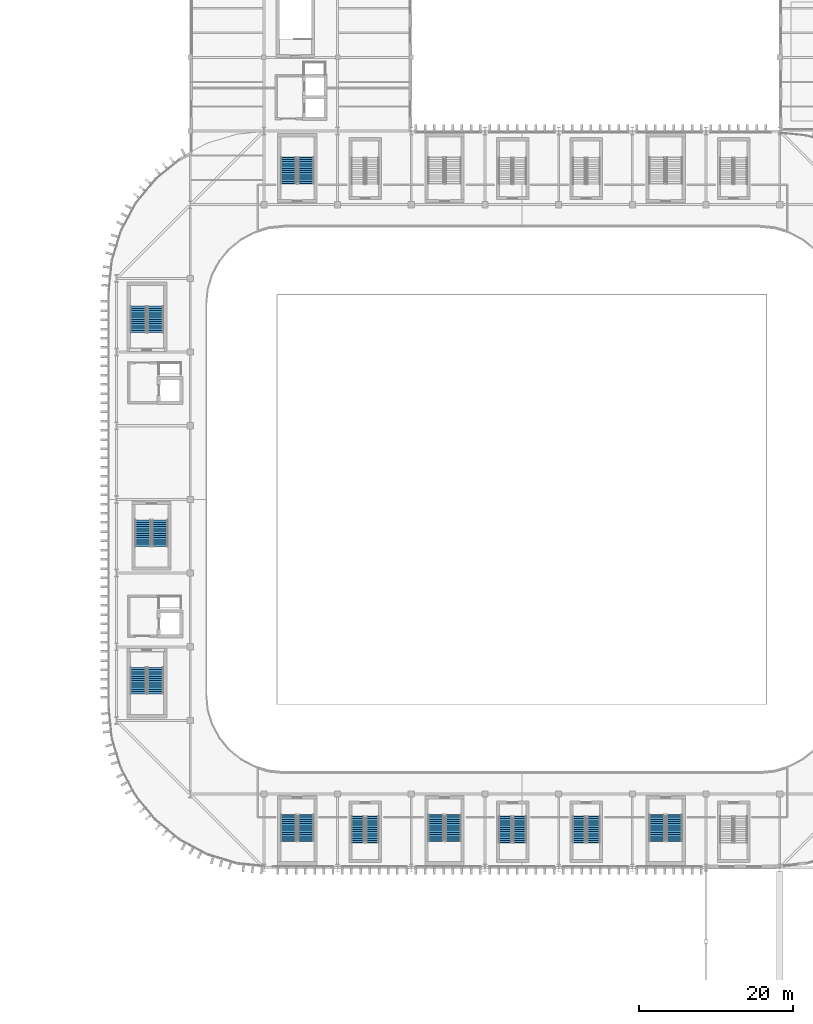
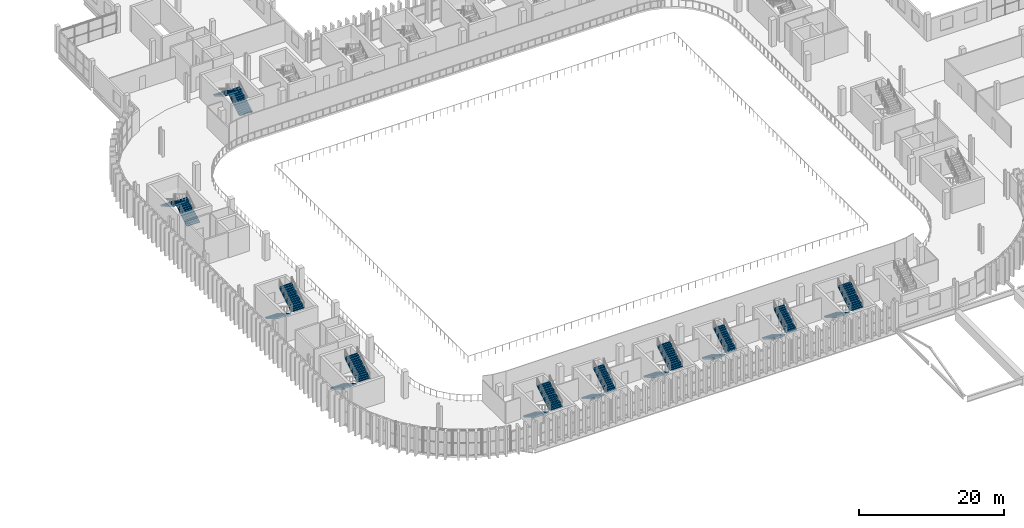
# One storey, part 54 of 75: 20 stair flights, 10 elements without a shape of their own.
"""IFC4 building model written with IfcOpenShell, lengths in metres."""

from ifc_helpers import new_model, si_unit, direction, frame, origin, place, context, subcontext, project, spatial, polyline, outline, extrude, material, type_object, element, aggregate, save


model = new_model("IFC4")

# Units and contexts
model_context = context("Model", 3, precision=1e-05, world=origin(), true_north=direction((0.0, 1.0)))
body_context = subcontext(model_context, "Body", "Model", "MODEL_VIEW")
ifc_project = project(units=[si_unit("LENGTHUNIT", "METRE"), si_unit("AREAUNIT", "SQUARE_METRE"), si_unit("VOLUMEUNIT", "CUBIC_METRE"), si_unit("PLANEANGLEUNIT", "RADIAN"), si_unit("MASSUNIT", "GRAM", prefix="KILO")], contexts=[model_context])

# Site, building, storey
site_placement = place(None, origin())
site = spatial("IfcSite", under=ifc_project, at=site_placement, CompositionType="ELEMENT")
building_placement = place(site_placement, origin())
building = spatial("IfcBuilding", under=site, at=building_placement, Name="Caelomonte Colonnade Arena", CompositionType="ELEMENT")
storey_placement = place(building_placement, frame((0.0, 0.0, 14.10009765625)))
storey = spatial("IfcBuildingStorey", under=building, at=storey_placement, Name="L03", CompositionType="ELEMENT", Elevation=14.10009765625)

# Stair, stair flights
ifc_material_1 = material(Name="Concrete C40/50", Category="concrete")
stair_type_1 = type_object("IfcStairType", Name="INT-ST-CORE45", PredefinedType="HALF_TURN_STAIR", material=ifc_material_1)
stair_1_placement = place(storey_placement, origin())
stair_1 = element("IfcStair", 1, at=stair_1_placement, inside=storey, type_object=stair_type_1, Name="L03 Protected exit stair ST-09", PredefinedType="HALF_TURN_STAIR")
stair_flight_type_1 = type_object("IfcStairFlightType", Name="INT-SF-CORE45", PredefinedType="STRAIGHT", material=ifc_material_1)
stair_flight_1_placement = place(storey_placement, frame((61.02490234375, 64.5, 0.0), z_axis=(0.0, 0.0, 1.0), x_axis=(0.0, -1.0, 0.0)))
stair_flight_1 = element("IfcStairFlight", 2, at=stair_flight_1_placement, type_object=stair_flight_type_1, Name="ST-09 flight 1", NumberOfRisers=13, NumberOfTreads=12, PredefinedType="STRAIGHT", RiserHeight=0.173076923, TreadLength=0.285, context=body_context, shape_type="SweptSolid", body=[
    extrude(outline(polyline([(-0.02490234375, 0.0), (-0.02490234375, 0.103759765625), (0.0, 0.103759765625), (0.0, 0.173095703125), (0.284912109375, 0.173095703125), (0.284912109375, 0.34619140625), (0.570068359375, 0.34619140625), (0.570068359375, 0.519287109375), (0.85498046875, 0.519287109375), (0.85498046875, 0.6923828125), (1.139892578125, 0.6923828125), (1.139892578125, 0.865478515625), (1.425048828125, 0.865478515625), (1.425048828125, 1.03857421875), (1.7099609375, 1.03857421875), (1.7099609375, 1.21142578125), (1.9951171875, 1.21142578125), (1.9951171875, 1.384521484375), (2.280029296875, 1.384521484375), (2.280029296875, 1.5576171875), (2.56494140625, 1.5576171875), (2.56494140625, 1.730712890625), (2.85009765625, 1.730712890625), (2.85009765625, 1.90380859375), (3.135009765625, 1.90380859375), (3.135009765625, 2.076904296875), (3.419921875, 2.076904296875), (3.419921875, 2.25), (3.445068359375, 2.25), (3.445068359375, 1.901611328125), (0.288818359375, 0.0), (-0.02490234375, 0.0)])), frame((0.0, 1.02490234375, 0.0), z_axis=(0.0, -1.0, 0.0), x_axis=(1.0, 0.0, 0.0)), (0.0, 0.0, 1.0), 2.050048828125),
])
stair_flight_2_placement = place(storey_placement, frame((63.27490234375, 61.080078125, 2.25), z_axis=(0.0, 0.0, 1.0), x_axis=(0.0, 1.0, 0.0)))
stair_flight_2 = element("IfcStairFlight", 3, at=stair_flight_2_placement, type_object=stair_flight_type_1, Name="ST-09 flight 2", NumberOfRisers=13, NumberOfTreads=12, PredefinedType="STRAIGHT", RiserHeight=0.173076923, TreadLength=0.285, context=body_context, shape_type="SweptSolid", body=[
    extrude(outline(polyline([(-0.02490234375, 0.0), (-0.02490234375, 0.103759765625), (0.0, 0.103759765625), (0.0, 0.173095703125), (0.284912109375, 0.173095703125), (0.284912109375, 0.34619140625), (0.570068359375, 0.34619140625), (0.570068359375, 0.519287109375), (0.85498046875, 0.519287109375), (0.85498046875, 0.6923828125), (1.139892578125, 0.6923828125), (1.139892578125, 0.865478515625), (1.425048828125, 0.865478515625), (1.425048828125, 1.03857421875), (1.7099609375, 1.03857421875), (1.7099609375, 1.21142578125), (1.9951171875, 1.21142578125), (1.9951171875, 1.384521484375), (2.280029296875, 1.384521484375), (2.280029296875, 1.5576171875), (2.56494140625, 1.5576171875), (2.56494140625, 1.730712890625), (2.85009765625, 1.730712890625), (2.85009765625, 1.90380859375), (3.135009765625, 1.90380859375), (3.135009765625, 2.076904296875), (3.419921875, 2.076904296875), (3.419921875, 2.25), (3.445068359375, 2.25), (3.445068359375, 1.901611328125), (0.288818359375, 0.0), (-0.02490234375, 0.0)])), frame((0.0, 1.02490234375, 0.0), z_axis=(0.0, -1.0, 0.0), x_axis=(1.0, 0.0, 0.0)), (0.0, 0.0, 1.0), 2.050048828125),
])
aggregate(stair_1, [stair_flight_1, stair_flight_2])

stair_2_placement = place(storey_placement, origin())
stair_2 = element("IfcStair", 4, at=stair_2_placement, inside=storey, type_object=stair_type_1, Name="L03 Protected exit stair ST-11", PredefinedType="HALF_TURN_STAIR")
stair_flight_3_placement = place(storey_placement, frame((80.02490234375, 26.10009765625, 0.0), z_axis=(0.0, 0.0, 1.0), x_axis=(0.0, -1.0, 0.0)))
stair_flight_3 = element("IfcStairFlight", 5, at=stair_flight_3_placement, type_object=stair_flight_type_1, Name="ST-11 flight 1", NumberOfRisers=13, NumberOfTreads=12, PredefinedType="STRAIGHT", RiserHeight=0.173076923, TreadLength=0.285, context=body_context, shape_type="SweptSolid", body=[
    extrude(outline(polyline([(-0.02490234375, 0.0), (-0.02490234375, 0.103759765625), (0.0, 0.103759765625), (0.0, 0.173095703125), (0.284912109375, 0.173095703125), (0.284912109375, 0.34619140625), (0.570068359375, 0.34619140625), (0.570068359375, 0.519287109375), (0.85498046875, 0.519287109375), (0.85498046875, 0.6923828125), (1.139892578125, 0.6923828125), (1.139892578125, 0.865478515625), (1.425048828125, 0.865478515625), (1.425048828125, 1.03857421875), (1.7099609375, 1.03857421875), (1.7099609375, 1.21142578125), (1.9951171875, 1.21142578125), (1.9951171875, 1.384521484375), (2.280029296875, 1.384521484375), (2.280029296875, 1.5576171875), (2.56494140625, 1.5576171875), (2.56494140625, 1.730712890625), (2.85009765625, 1.730712890625), (2.85009765625, 1.90380859375), (3.135009765625, 1.90380859375), (3.135009765625, 2.076904296875), (3.419921875, 2.076904296875), (3.419921875, 2.25), (3.445068359375, 2.25), (3.445068359375, 1.901611328125), (0.288818359375, 0.0), (-0.02490234375, 0.0)])), frame((0.0, 1.02490234375, 0.0), z_axis=(0.0, -1.0, 0.0), x_axis=(1.0, 0.0, 0.0)), (0.0, 0.0, 1.0), 2.050048828125),
])
stair_flight_4_placement = place(storey_placement, frame((82.27490234375, 22.679931640625, 2.25), z_axis=(0.0, 0.0, 1.0), x_axis=(0.0, 1.0, 0.0)))
stair_flight_4 = element("IfcStairFlight", 6, at=stair_flight_4_placement, type_object=stair_flight_type_1, Name="ST-11 flight 2", NumberOfRisers=13, NumberOfTreads=12, PredefinedType="STRAIGHT", RiserHeight=0.173076923, TreadLength=0.285, context=body_context, shape_type="SweptSolid", body=[
    extrude(outline(polyline([(-0.02490234375, 0.0), (-0.02490234375, 0.103759765625), (0.0, 0.103759765625), (0.0, 0.173095703125), (0.284912109375, 0.173095703125), (0.284912109375, 0.34619140625), (0.570068359375, 0.34619140625), (0.570068359375, 0.519287109375), (0.85498046875, 0.519287109375), (0.85498046875, 0.6923828125), (1.139892578125, 0.6923828125), (1.139892578125, 0.865478515625), (1.425048828125, 0.865478515625), (1.425048828125, 1.03857421875), (1.7099609375, 1.03857421875), (1.7099609375, 1.21142578125), (1.9951171875, 1.21142578125), (1.9951171875, 1.384521484375), (2.280029296875, 1.384521484375), (2.280029296875, 1.5576171875), (2.56494140625, 1.5576171875), (2.56494140625, 1.730712890625), (2.85009765625, 1.730712890625), (2.85009765625, 1.90380859375), (3.135009765625, 1.90380859375), (3.135009765625, 2.076904296875), (3.419921875, 2.076904296875), (3.419921875, 2.25), (3.445068359375, 2.25), (3.445068359375, 1.901611328125), (0.288818359375, 0.0), (-0.02490234375, 0.0)])), frame((0.0, 1.02490234375, 0.0), z_axis=(0.0, -1.0, 0.0), x_axis=(1.0, 0.0, 0.0)), (0.0, 0.0, 1.0), 2.050048828125),
])
aggregate(stair_2, [stair_flight_3, stair_flight_4])

stair_3_placement = place(storey_placement, origin())
stair_3 = element("IfcStair", 7, at=stair_3_placement, inside=storey, type_object=stair_type_1, Name="L03 Protected exit stair ST-12", PredefinedType="HALF_TURN_STAIR")
stair_flight_5_placement = place(storey_placement, frame((99.22509765625, 26.10009765625, 0.0), z_axis=(0.0, 0.0, 1.0), x_axis=(0.0, -1.0, 0.0)))
stair_flight_5 = element("IfcStairFlight", 8, at=stair_flight_5_placement, type_object=stair_flight_type_1, Name="ST-12 flight 1", NumberOfRisers=13, NumberOfTreads=12, PredefinedType="STRAIGHT", RiserHeight=0.173076923, TreadLength=0.285, context=body_context, shape_type="SweptSolid", body=[
    extrude(outline(polyline([(-0.02490234375, 0.0), (-0.02490234375, 0.103759765625), (0.0, 0.103759765625), (0.0, 0.173095703125), (0.284912109375, 0.173095703125), (0.284912109375, 0.34619140625), (0.570068359375, 0.34619140625), (0.570068359375, 0.519287109375), (0.85498046875, 0.519287109375), (0.85498046875, 0.6923828125), (1.139892578125, 0.6923828125), (1.139892578125, 0.865478515625), (1.425048828125, 0.865478515625), (1.425048828125, 1.03857421875), (1.7099609375, 1.03857421875), (1.7099609375, 1.21142578125), (1.9951171875, 1.21142578125), (1.9951171875, 1.384521484375), (2.280029296875, 1.384521484375), (2.280029296875, 1.5576171875), (2.56494140625, 1.5576171875), (2.56494140625, 1.730712890625), (2.85009765625, 1.730712890625), (2.85009765625, 1.90380859375), (3.135009765625, 1.90380859375), (3.135009765625, 2.076904296875), (3.419921875, 2.076904296875), (3.419921875, 2.25), (3.445068359375, 2.25), (3.445068359375, 1.901611328125), (0.288818359375, 0.0), (-0.02490234375, 0.0)])), frame((0.0, 1.02490234375, 0.0), z_axis=(0.0, -1.0, 0.0), x_axis=(1.0, 0.0, 0.0)), (0.0, 0.0, 1.0), 2.050048828125),
])
stair_flight_6_placement = place(storey_placement, frame((101.47509765625, 22.679931640625, 2.25), z_axis=(0.0, 0.0, 1.0), x_axis=(0.0, 1.0, 0.0)))
stair_flight_6 = element("IfcStairFlight", 9, at=stair_flight_6_placement, type_object=stair_flight_type_1, Name="ST-12 flight 2", NumberOfRisers=13, NumberOfTreads=12, PredefinedType="STRAIGHT", RiserHeight=0.173076923, TreadLength=0.285, context=body_context, shape_type="SweptSolid", body=[
    extrude(outline(polyline([(-0.02490234375, 0.0), (-0.02490234375, 0.103759765625), (0.0, 0.103759765625), (0.0, 0.173095703125), (0.284912109375, 0.173095703125), (0.284912109375, 0.34619140625), (0.570068359375, 0.34619140625), (0.570068359375, 0.519287109375), (0.85498046875, 0.519287109375), (0.85498046875, 0.6923828125), (1.139892578125, 0.6923828125), (1.139892578125, 0.865478515625), (1.425048828125, 0.865478515625), (1.425048828125, 1.03857421875), (1.7099609375, 1.03857421875), (1.7099609375, 1.21142578125), (1.9951171875, 1.21142578125), (1.9951171875, 1.384521484375), (2.280029296875, 1.384521484375), (2.280029296875, 1.5576171875), (2.56494140625, 1.5576171875), (2.56494140625, 1.730712890625), (2.85009765625, 1.730712890625), (2.85009765625, 1.90380859375), (3.135009765625, 1.90380859375), (3.135009765625, 2.076904296875), (3.419921875, 2.076904296875), (3.419921875, 2.25), (3.445068359375, 2.25), (3.445068359375, 1.901611328125), (0.288818359375, 0.0), (-0.02490234375, 0.0)])), frame((0.0, 1.02490234375, 0.0), z_axis=(0.0, -1.0, 0.0), x_axis=(1.0, 0.0, 0.0)), (0.0, 0.0, 1.0), 2.050048828125),
])
aggregate(stair_3, [stair_flight_5, stair_flight_6])

stair_4_placement = place(storey_placement, origin())
stair_4 = element("IfcStair", 10, at=stair_4_placement, inside=storey, type_object=stair_type_1, Name="L03 Protected exit stair ST-13", PredefinedType="HALF_TURN_STAIR")
stair_flight_7_placement = place(storey_placement, frame((128.02490234375, 26.10009765625, 0.0), z_axis=(0.0, 0.0, 1.0), x_axis=(0.0, -1.0, 0.0)))
stair_flight_7 = element("IfcStairFlight", 11, at=stair_flight_7_placement, type_object=stair_flight_type_1, Name="ST-13 flight 1", NumberOfRisers=13, NumberOfTreads=12, PredefinedType="STRAIGHT", RiserHeight=0.173076923, TreadLength=0.285, context=body_context, shape_type="SweptSolid", body=[
    extrude(outline(polyline([(-0.02490234375, 0.0), (-0.02490234375, 0.103759765625), (0.0, 0.103759765625), (0.0, 0.173095703125), (0.284912109375, 0.173095703125), (0.284912109375, 0.34619140625), (0.570068359375, 0.34619140625), (0.570068359375, 0.519287109375), (0.85498046875, 0.519287109375), (0.85498046875, 0.6923828125), (1.139892578125, 0.6923828125), (1.139892578125, 0.865478515625), (1.425048828125, 0.865478515625), (1.425048828125, 1.03857421875), (1.7099609375, 1.03857421875), (1.7099609375, 1.21142578125), (1.9951171875, 1.21142578125), (1.9951171875, 1.384521484375), (2.280029296875, 1.384521484375), (2.280029296875, 1.5576171875), (2.56494140625, 1.5576171875), (2.56494140625, 1.730712890625), (2.85009765625, 1.730712890625), (2.85009765625, 1.90380859375), (3.135009765625, 1.90380859375), (3.135009765625, 2.076904296875), (3.419921875, 2.076904296875), (3.419921875, 2.25), (3.445068359375, 2.25), (3.445068359375, 1.901611328125), (0.288818359375, 0.0), (-0.02490234375, 0.0)])), frame((0.0, 1.02490234375, 0.0), z_axis=(0.0, -1.0, 0.0), x_axis=(1.0, 0.0, 0.0)), (0.0, 0.0, 1.0), 2.050048828125),
])
stair_flight_8_placement = place(storey_placement, frame((130.27490234375, 22.679931640625, 2.25), z_axis=(0.0, 0.0, 1.0), x_axis=(0.0, 1.0, 0.0)))
stair_flight_8 = element("IfcStairFlight", 12, at=stair_flight_8_placement, type_object=stair_flight_type_1, Name="ST-13 flight 2", NumberOfRisers=13, NumberOfTreads=12, PredefinedType="STRAIGHT", RiserHeight=0.173076923, TreadLength=0.285, context=body_context, shape_type="SweptSolid", body=[
    extrude(outline(polyline([(-0.02490234375, 0.0), (-0.02490234375, 0.103759765625), (0.0, 0.103759765625), (0.0, 0.173095703125), (0.284912109375, 0.173095703125), (0.284912109375, 0.34619140625), (0.570068359375, 0.34619140625), (0.570068359375, 0.519287109375), (0.85498046875, 0.519287109375), (0.85498046875, 0.6923828125), (1.139892578125, 0.6923828125), (1.139892578125, 0.865478515625), (1.425048828125, 0.865478515625), (1.425048828125, 1.03857421875), (1.7099609375, 1.03857421875), (1.7099609375, 1.21142578125), (1.9951171875, 1.21142578125), (1.9951171875, 1.384521484375), (2.280029296875, 1.384521484375), (2.280029296875, 1.5576171875), (2.56494140625, 1.5576171875), (2.56494140625, 1.730712890625), (2.85009765625, 1.730712890625), (2.85009765625, 1.90380859375), (3.135009765625, 1.90380859375), (3.135009765625, 2.076904296875), (3.419921875, 2.076904296875), (3.419921875, 2.25), (3.445068359375, 2.25), (3.445068359375, 1.901611328125), (0.288818359375, 0.0), (-0.02490234375, 0.0)])), frame((0.0, 1.02490234375, 0.0), z_axis=(0.0, -1.0, 0.0), x_axis=(1.0, 0.0, 0.0)), (0.0, 0.0, 1.0), 2.050048828125),
])
aggregate(stair_4, [stair_flight_7, stair_flight_8])

stair_5_placement = place(storey_placement, origin())
stair_5 = element("IfcStair", 13, at=stair_5_placement, inside=storey, type_object=stair_type_1, Name="L03 Protected exit stair ST-14", PredefinedType="HALF_TURN_STAIR")
stair_flight_9_placement = place(storey_placement, frame((82.27490234375, 108.35009765625, 0.0), z_axis=(0.0, 0.0, 1.0), x_axis=(0.0, 1.0, 0.0)))
stair_flight_9 = element("IfcStairFlight", 14, at=stair_flight_9_placement, type_object=stair_flight_type_1, Name="ST-14 flight 1", NumberOfRisers=13, NumberOfTreads=12, PredefinedType="STRAIGHT", RiserHeight=0.173076923, TreadLength=0.285, context=body_context, shape_type="SweptSolid", body=[
    extrude(outline(polyline([(-0.02490234375, 0.0), (-0.02490234375, 0.103759765625), (0.0, 0.103759765625), (0.0, 0.173095703125), (0.284912109375, 0.173095703125), (0.284912109375, 0.34619140625), (0.570068359375, 0.34619140625), (0.570068359375, 0.519287109375), (0.85498046875, 0.519287109375), (0.85498046875, 0.6923828125), (1.139892578125, 0.6923828125), (1.139892578125, 0.865478515625), (1.425048828125, 0.865478515625), (1.425048828125, 1.03857421875), (1.7099609375, 1.03857421875), (1.7099609375, 1.21142578125), (1.9951171875, 1.21142578125), (1.9951171875, 1.384521484375), (2.280029296875, 1.384521484375), (2.280029296875, 1.5576171875), (2.56494140625, 1.5576171875), (2.56494140625, 1.730712890625), (2.85009765625, 1.730712890625), (2.85009765625, 1.90380859375), (3.135009765625, 1.90380859375), (3.135009765625, 2.076904296875), (3.419921875, 2.076904296875), (3.419921875, 2.25), (3.445068359375, 2.25), (3.445068359375, 1.901611328125), (0.288818359375, 0.0), (-0.02490234375, 0.0)])), frame((0.0, 1.02490234375, 0.0), z_axis=(0.0, -1.0, 0.0), x_axis=(1.0, 0.0, 0.0)), (0.0, 0.0, 1.0), 2.050048828125),
])
stair_flight_10_placement = place(storey_placement, frame((80.02490234375, 111.77001953125, 2.25), z_axis=(0.0, 0.0, 1.0), x_axis=(0.0, -1.0, 0.0)))
stair_flight_10 = element("IfcStairFlight", 15, at=stair_flight_10_placement, type_object=stair_flight_type_1, Name="ST-14 flight 2", NumberOfRisers=13, NumberOfTreads=12, PredefinedType="STRAIGHT", RiserHeight=0.173076923, TreadLength=0.285, context=body_context, shape_type="SweptSolid", body=[
    extrude(outline(polyline([(-0.02490234375, 0.0), (-0.02490234375, 0.103759765625), (0.0, 0.103759765625), (0.0, 0.173095703125), (0.284912109375, 0.173095703125), (0.284912109375, 0.34619140625), (0.570068359375, 0.34619140625), (0.570068359375, 0.519287109375), (0.85498046875, 0.519287109375), (0.85498046875, 0.6923828125), (1.139892578125, 0.6923828125), (1.139892578125, 0.865478515625), (1.425048828125, 0.865478515625), (1.425048828125, 1.03857421875), (1.7099609375, 1.03857421875), (1.7099609375, 1.21142578125), (1.9951171875, 1.21142578125), (1.9951171875, 1.384521484375), (2.280029296875, 1.384521484375), (2.280029296875, 1.5576171875), (2.56494140625, 1.5576171875), (2.56494140625, 1.730712890625), (2.85009765625, 1.730712890625), (2.85009765625, 1.90380859375), (3.135009765625, 1.90380859375), (3.135009765625, 2.076904296875), (3.419921875, 2.076904296875), (3.419921875, 2.25), (3.445068359375, 2.25), (3.445068359375, 1.901611328125), (0.288818359375, 0.0), (-0.02490234375, 0.0)])), frame((0.0, 1.02490234375, 0.0), z_axis=(0.0, -1.0, 0.0), x_axis=(1.0, 0.0, 0.0)), (0.0, 0.0, 1.0), 2.050048828125),
])
aggregate(stair_5, [stair_flight_9, stair_flight_10])

ifc_material_2 = material(Name="Precast concrete C40/50", Category="concrete")
stair_type_2 = type_object("IfcStairType", Name="INT-ST-VOMU", PredefinedType="HALF_TURN_STAIR", material=ifc_material_2)
stair_6_placement = place(storey_placement, origin())
stair_6 = element("IfcStair", 16, at=stair_6_placement, inside=storey, type_object=stair_type_2, Name="L03 Vomitory VOM-09 aisle stair ST-V09", PredefinedType="HALF_TURN_STAIR")
stair_flight_type_2 = type_object("IfcStairFlightType", Name="INT-SF-VOMU", PredefinedType="STRAIGHT", material=ifc_material_2)
stair_flight_11_placement = place(storey_placement, frame((89.050048828125, 25.89990234375, 0.0), z_axis=(0.0, 0.0, 1.0), x_axis=(0.0, -1.0, 0.0)))
stair_flight_11 = element("IfcStairFlight", 17, at=stair_flight_11_placement, type_object=stair_flight_type_2, Name="ST-V09 flight 1", NumberOfRisers=13, NumberOfTreads=12, PredefinedType="STRAIGHT", RiserHeight=0.173076923, TreadLength=0.285, context=body_context, shape_type="SweptSolid", body=[
    extrude(outline(polyline([(-0.02490234375, 0.0), (-0.02490234375, 0.103759765625), (0.0, 0.103759765625), (0.0, 0.173095703125), (0.284912109375, 0.173095703125), (0.284912109375, 0.34619140625), (0.570068359375, 0.34619140625), (0.570068359375, 0.519287109375), (0.85498046875, 0.519287109375), (0.85498046875, 0.6923828125), (1.139892578125, 0.6923828125), (1.139892578125, 0.865478515625), (1.425048828125, 0.865478515625), (1.425048828125, 1.03857421875), (1.7099609375, 1.03857421875), (1.7099609375, 1.21142578125), (1.9951171875, 1.21142578125), (1.9951171875, 1.384521484375), (2.280029296875, 1.384521484375), (2.280029296875, 1.5576171875), (2.56494140625, 1.5576171875), (2.56494140625, 1.730712890625), (2.85009765625, 1.730712890625), (2.85009765625, 1.90380859375), (3.135009765625, 1.90380859375), (3.135009765625, 2.076904296875), (3.419921875, 2.076904296875), (3.419921875, 2.25), (3.445068359375, 2.25), (3.445068359375, 1.901611328125), (0.288818359375, 0.0), (-0.02490234375, 0.0)])), frame((0.0, 0.85009765625, 0.0), z_axis=(0.0, -1.0, 0.0), x_axis=(1.0, 0.0, 0.0)), (0.0, 0.0, 1.0), 1.699951171875),
])
stair_flight_12_placement = place(storey_placement, frame((90.949951171875, 22.47998046875, 2.25), z_axis=(0.0, 0.0, 1.0), x_axis=(0.0, 1.0, 0.0)))
stair_flight_12 = element("IfcStairFlight", 18, at=stair_flight_12_placement, type_object=stair_flight_type_2, Name="ST-V09 flight 2", NumberOfRisers=13, NumberOfTreads=12, PredefinedType="STRAIGHT", RiserHeight=0.173076923, TreadLength=0.285, context=body_context, shape_type="SweptSolid", body=[
    extrude(outline(polyline([(-0.02490234375, 0.0), (-0.02490234375, 0.103759765625), (0.0, 0.103759765625), (0.0, 0.173095703125), (0.284912109375, 0.173095703125), (0.284912109375, 0.34619140625), (0.570068359375, 0.34619140625), (0.570068359375, 0.519287109375), (0.85498046875, 0.519287109375), (0.85498046875, 0.6923828125), (1.139892578125, 0.6923828125), (1.139892578125, 0.865478515625), (1.425048828125, 0.865478515625), (1.425048828125, 1.03857421875), (1.7099609375, 1.03857421875), (1.7099609375, 1.21142578125), (1.9951171875, 1.21142578125), (1.9951171875, 1.384521484375), (2.280029296875, 1.384521484375), (2.280029296875, 1.5576171875), (2.56494140625, 1.5576171875), (2.56494140625, 1.730712890625), (2.85009765625, 1.730712890625), (2.85009765625, 1.90380859375), (3.135009765625, 1.90380859375), (3.135009765625, 2.076904296875), (3.419921875, 2.076904296875), (3.419921875, 2.25), (3.445068359375, 2.25), (3.445068359375, 1.901611328125), (0.288818359375, 0.0), (-0.02490234375, 0.0)])), frame((0.0, 0.85009765625, 0.0), z_axis=(0.0, -1.0, 0.0), x_axis=(1.0, 0.0, 0.0)), (0.0, 0.0, 1.0), 1.699951171875),
])
aggregate(stair_6, [stair_flight_11, stair_flight_12])

stair_7_placement = place(storey_placement, origin())
stair_7 = element("IfcStair", 19, at=stair_7_placement, inside=storey, type_object=stair_type_2, Name="L03 Vomitory VOM-10 aisle stair ST-V10", PredefinedType="HALF_TURN_STAIR")
stair_flight_13_placement = place(storey_placement, frame((108.25, 25.89990234375, 0.0), z_axis=(0.0, 0.0, 1.0), x_axis=(0.0, -1.0, 0.0)))
stair_flight_13 = element("IfcStairFlight", 20, at=stair_flight_13_placement, type_object=stair_flight_type_2, Name="ST-V10 flight 1", NumberOfRisers=13, NumberOfTreads=12, PredefinedType="STRAIGHT", RiserHeight=0.173076923, TreadLength=0.285, context=body_context, shape_type="SweptSolid", body=[
    extrude(outline(polyline([(-0.02490234375, 0.0), (-0.02490234375, 0.103759765625), (0.0, 0.103759765625), (0.0, 0.173095703125), (0.284912109375, 0.173095703125), (0.284912109375, 0.34619140625), (0.570068359375, 0.34619140625), (0.570068359375, 0.519287109375), (0.85498046875, 0.519287109375), (0.85498046875, 0.6923828125), (1.139892578125, 0.6923828125), (1.139892578125, 0.865478515625), (1.425048828125, 0.865478515625), (1.425048828125, 1.03857421875), (1.7099609375, 1.03857421875), (1.7099609375, 1.21142578125), (1.9951171875, 1.21142578125), (1.9951171875, 1.384521484375), (2.280029296875, 1.384521484375), (2.280029296875, 1.5576171875), (2.56494140625, 1.5576171875), (2.56494140625, 1.730712890625), (2.85009765625, 1.730712890625), (2.85009765625, 1.90380859375), (3.135009765625, 1.90380859375), (3.135009765625, 2.076904296875), (3.419921875, 2.076904296875), (3.419921875, 2.25), (3.445068359375, 2.25), (3.445068359375, 1.901611328125), (0.288818359375, 0.0), (-0.02490234375, 0.0)])), frame((0.0, 0.85009765625, 0.0), z_axis=(0.0, -1.0, 0.0), x_axis=(1.0, 0.0, 0.0)), (0.0, 0.0, 1.0), 1.699951171875),
])
stair_flight_14_placement = place(storey_placement, frame((110.14990234375, 22.47998046875, 2.25), z_axis=(0.0, 0.0, 1.0), x_axis=(0.0, 1.0, 0.0)))
stair_flight_14 = element("IfcStairFlight", 21, at=stair_flight_14_placement, type_object=stair_flight_type_2, Name="ST-V10 flight 2", NumberOfRisers=13, NumberOfTreads=12, PredefinedType="STRAIGHT", RiserHeight=0.173076923, TreadLength=0.285, context=body_context, shape_type="SweptSolid", body=[
    extrude(outline(polyline([(-0.02490234375, 0.0), (-0.02490234375, 0.103759765625), (0.0, 0.103759765625), (0.0, 0.173095703125), (0.284912109375, 0.173095703125), (0.284912109375, 0.34619140625), (0.570068359375, 0.34619140625), (0.570068359375, 0.519287109375), (0.85498046875, 0.519287109375), (0.85498046875, 0.6923828125), (1.139892578125, 0.6923828125), (1.139892578125, 0.865478515625), (1.425048828125, 0.865478515625), (1.425048828125, 1.03857421875), (1.7099609375, 1.03857421875), (1.7099609375, 1.21142578125), (1.9951171875, 1.21142578125), (1.9951171875, 1.384521484375), (2.280029296875, 1.384521484375), (2.280029296875, 1.5576171875), (2.56494140625, 1.5576171875), (2.56494140625, 1.730712890625), (2.85009765625, 1.730712890625), (2.85009765625, 1.90380859375), (3.135009765625, 1.90380859375), (3.135009765625, 2.076904296875), (3.419921875, 2.076904296875), (3.419921875, 2.25), (3.445068359375, 2.25), (3.445068359375, 1.901611328125), (0.288818359375, 0.0), (-0.02490234375, 0.0)])), frame((0.0, 0.85009765625, 0.0), z_axis=(0.0, -1.0, 0.0), x_axis=(1.0, 0.0, 0.0)), (0.0, 0.0, 1.0), 1.699951171875),
])
aggregate(stair_7, [stair_flight_13, stair_flight_14])

stair_8_placement = place(storey_placement, origin())
stair_8 = element("IfcStair", 22, at=stair_8_placement, inside=storey, type_object=stair_type_2, Name="L03 Vomitory VOM-11 aisle stair ST-V11", PredefinedType="HALF_TURN_STAIR")
stair_flight_15_placement = place(storey_placement, frame((117.85009765625, 25.89990234375, 0.0), z_axis=(0.0, 0.0, 1.0), x_axis=(0.0, -1.0, 0.0)))
stair_flight_15 = element("IfcStairFlight", 23, at=stair_flight_15_placement, type_object=stair_flight_type_2, Name="ST-V11 flight 1", NumberOfRisers=13, NumberOfTreads=12, PredefinedType="STRAIGHT", RiserHeight=0.173076923, TreadLength=0.285, context=body_context, shape_type="SweptSolid", body=[
    extrude(outline(polyline([(-0.02490234375, 0.0), (-0.02490234375, 0.103759765625), (0.0, 0.103759765625), (0.0, 0.173095703125), (0.284912109375, 0.173095703125), (0.284912109375, 0.34619140625), (0.570068359375, 0.34619140625), (0.570068359375, 0.519287109375), (0.85498046875, 0.519287109375), (0.85498046875, 0.6923828125), (1.139892578125, 0.6923828125), (1.139892578125, 0.865478515625), (1.425048828125, 0.865478515625), (1.425048828125, 1.03857421875), (1.7099609375, 1.03857421875), (1.7099609375, 1.21142578125), (1.9951171875, 1.21142578125), (1.9951171875, 1.384521484375), (2.280029296875, 1.384521484375), (2.280029296875, 1.5576171875), (2.56494140625, 1.5576171875), (2.56494140625, 1.730712890625), (2.85009765625, 1.730712890625), (2.85009765625, 1.90380859375), (3.135009765625, 1.90380859375), (3.135009765625, 2.076904296875), (3.419921875, 2.076904296875), (3.419921875, 2.25), (3.445068359375, 2.25), (3.445068359375, 1.901611328125), (0.288818359375, 0.0), (-0.02490234375, 0.0)])), frame((0.0, 0.85009765625, 0.0), z_axis=(0.0, -1.0, 0.0), x_axis=(1.0, 0.0, 0.0)), (0.0, 0.0, 1.0), 1.699951171875),
])
stair_flight_16_placement = place(storey_placement, frame((119.75, 22.47998046875, 2.25), z_axis=(0.0, 0.0, 1.0), x_axis=(0.0, 1.0, 0.0)))
stair_flight_16 = element("IfcStairFlight", 24, at=stair_flight_16_placement, type_object=stair_flight_type_2, Name="ST-V11 flight 2", NumberOfRisers=13, NumberOfTreads=12, PredefinedType="STRAIGHT", RiserHeight=0.173076923, TreadLength=0.285, context=body_context, shape_type="SweptSolid", body=[
    extrude(outline(polyline([(-0.02490234375, 0.0), (-0.02490234375, 0.103759765625), (0.0, 0.103759765625), (0.0, 0.173095703125), (0.284912109375, 0.173095703125), (0.284912109375, 0.34619140625), (0.570068359375, 0.34619140625), (0.570068359375, 0.519287109375), (0.85498046875, 0.519287109375), (0.85498046875, 0.6923828125), (1.139892578125, 0.6923828125), (1.139892578125, 0.865478515625), (1.425048828125, 0.865478515625), (1.425048828125, 1.03857421875), (1.7099609375, 1.03857421875), (1.7099609375, 1.21142578125), (1.9951171875, 1.21142578125), (1.9951171875, 1.384521484375), (2.280029296875, 1.384521484375), (2.280029296875, 1.5576171875), (2.56494140625, 1.5576171875), (2.56494140625, 1.730712890625), (2.85009765625, 1.730712890625), (2.85009765625, 1.90380859375), (3.135009765625, 1.90380859375), (3.135009765625, 2.076904296875), (3.419921875, 2.076904296875), (3.419921875, 2.25), (3.445068359375, 2.25), (3.445068359375, 1.901611328125), (0.288818359375, 0.0), (-0.02490234375, 0.0)])), frame((0.0, 0.85009765625, 0.0), z_axis=(0.0, -1.0, 0.0), x_axis=(1.0, 0.0, 0.0)), (0.0, 0.0, 1.0), 1.699951171875),
])
aggregate(stair_8, [stair_flight_15, stair_flight_16])

stair_type_3 = type_object("IfcStairType", Name="INT-ST-WING45", PredefinedType="HALF_TURN_STAIR", material=ifc_material_1)
stair_9_placement = place(storey_placement, origin())
stair_9 = element("IfcStair", 25, at=stair_9_placement, inside=storey, type_object=stair_type_3, Name="L03 Core C1 exit stair ST-01", PredefinedType="HALF_TURN_STAIR")
stair_flight_type_3 = type_object("IfcStairFlightType", Name="INT-SF-WING45", PredefinedType="STRAIGHT", material=ifc_material_1)
stair_flight_17_placement = place(storey_placement, frame((60.425048828125, 45.300048828125, 0.0), z_axis=(0.0, 0.0, 1.0), x_axis=(0.0, -1.0, 0.0)))
stair_flight_17 = element("IfcStairFlight", 26, at=stair_flight_17_placement, type_object=stair_flight_type_3, Name="ST-01 flight 1", NumberOfRisers=13, NumberOfTreads=12, PredefinedType="STRAIGHT", RiserHeight=0.173076923, TreadLength=0.285, context=body_context, shape_type="SweptSolid", body=[
    extrude(outline(polyline([(-0.02490234375, 0.0), (-0.02490234375, 0.103759765625), (0.0, 0.103759765625), (0.0, 0.173095703125), (0.284912109375, 0.173095703125), (0.284912109375, 0.34619140625), (0.570068359375, 0.34619140625), (0.570068359375, 0.519287109375), (0.85498046875, 0.519287109375), (0.85498046875, 0.6923828125), (1.139892578125, 0.6923828125), (1.139892578125, 0.865478515625), (1.425048828125, 0.865478515625), (1.425048828125, 1.03857421875), (1.7099609375, 1.03857421875), (1.7099609375, 1.21142578125), (1.9951171875, 1.21142578125), (1.9951171875, 1.384521484375), (2.280029296875, 1.384521484375), (2.280029296875, 1.5576171875), (2.56494140625, 1.5576171875), (2.56494140625, 1.730712890625), (2.85009765625, 1.730712890625), (2.85009765625, 1.90380859375), (3.135009765625, 1.90380859375), (3.135009765625, 2.076904296875), (3.419921875, 2.076904296875), (3.419921875, 2.25), (3.445068359375, 2.25), (3.445068359375, 1.901611328125), (0.288818359375, 0.0), (-0.02490234375, 0.0)])), frame((0.0, 1.02490234375, 0.0), z_axis=(0.0, -1.0, 0.0), x_axis=(1.0, 0.0, 0.0)), (0.0, 0.0, 1.0), 2.050048828125),
])
stair_flight_18_placement = place(storey_placement, frame((62.675048828125, 41.8798828125, 2.25), z_axis=(0.0, 0.0, 1.0), x_axis=(0.0, 1.0, 0.0)))
stair_flight_18 = element("IfcStairFlight", 27, at=stair_flight_18_placement, type_object=stair_flight_type_3, Name="ST-01 flight 2", NumberOfRisers=13, NumberOfTreads=12, PredefinedType="STRAIGHT", RiserHeight=0.173076923, TreadLength=0.285, context=body_context, shape_type="SweptSolid", body=[
    extrude(outline(polyline([(-0.02490234375, 0.0), (-0.02490234375, 0.103759765625), (0.0, 0.103759765625), (0.0, 0.173095703125), (0.284912109375, 0.173095703125), (0.284912109375, 0.34619140625), (0.570068359375, 0.34619140625), (0.570068359375, 0.519287109375), (0.85498046875, 0.519287109375), (0.85498046875, 0.6923828125), (1.139892578125, 0.6923828125), (1.139892578125, 0.865478515625), (1.425048828125, 0.865478515625), (1.425048828125, 1.03857421875), (1.7099609375, 1.03857421875), (1.7099609375, 1.21142578125), (1.9951171875, 1.21142578125), (1.9951171875, 1.384521484375), (2.280029296875, 1.384521484375), (2.280029296875, 1.5576171875), (2.56494140625, 1.5576171875), (2.56494140625, 1.730712890625), (2.85009765625, 1.730712890625), (2.85009765625, 1.90380859375), (3.135009765625, 1.90380859375), (3.135009765625, 2.076904296875), (3.419921875, 2.076904296875), (3.419921875, 2.25), (3.445068359375, 2.25), (3.445068359375, 1.901611328125), (0.288818359375, 0.0), (-0.02490234375, 0.0)])), frame((0.0, 1.02490234375, 0.0), z_axis=(0.0, -1.0, 0.0), x_axis=(1.0, 0.0, 0.0)), (0.0, 0.0, 1.0), 2.050048828125),
])
aggregate(stair_9, [stair_flight_17, stair_flight_18])

stair_10_placement = place(storey_placement, origin())
stair_10 = element("IfcStair", 28, at=stair_10_placement, inside=storey, type_object=stair_type_3, Name="L03 Core C4 exit stair ST-04", PredefinedType="HALF_TURN_STAIR")
stair_flight_19_placement = place(storey_placement, frame((62.675048828125, 88.949951171875, 0.0), z_axis=(0.0, 0.0, 1.0), x_axis=(0.0, 1.0, 0.0)))
stair_flight_19 = element("IfcStairFlight", 29, at=stair_flight_19_placement, type_object=stair_flight_type_3, Name="ST-04 flight 1", NumberOfRisers=13, NumberOfTreads=12, PredefinedType="STRAIGHT", RiserHeight=0.173076923, TreadLength=0.285, context=body_context, shape_type="SweptSolid", body=[
    extrude(outline(polyline([(-0.02490234375, 0.0), (-0.02490234375, 0.103759765625), (0.0, 0.103759765625), (0.0, 0.173095703125), (0.284912109375, 0.173095703125), (0.284912109375, 0.34619140625), (0.570068359375, 0.34619140625), (0.570068359375, 0.519287109375), (0.85498046875, 0.519287109375), (0.85498046875, 0.6923828125), (1.139892578125, 0.6923828125), (1.139892578125, 0.865478515625), (1.425048828125, 0.865478515625), (1.425048828125, 1.03857421875), (1.7099609375, 1.03857421875), (1.7099609375, 1.21142578125), (1.9951171875, 1.21142578125), (1.9951171875, 1.384521484375), (2.280029296875, 1.384521484375), (2.280029296875, 1.5576171875), (2.56494140625, 1.5576171875), (2.56494140625, 1.730712890625), (2.85009765625, 1.730712890625), (2.85009765625, 1.90380859375), (3.135009765625, 1.90380859375), (3.135009765625, 2.076904296875), (3.419921875, 2.076904296875), (3.419921875, 2.25), (3.445068359375, 2.25), (3.445068359375, 1.901611328125), (0.288818359375, 0.0), (-0.02490234375, 0.0)])), frame((0.0, 1.02490234375, 0.0), z_axis=(0.0, -1.0, 0.0), x_axis=(1.0, 0.0, 0.0)), (0.0, 0.0, 1.0), 2.050048828125),
])
stair_flight_20_placement = place(storey_placement, frame((60.425048828125, 92.3701171875, 2.25), z_axis=(0.0, 0.0, 1.0), x_axis=(0.0, -1.0, 0.0)))
stair_flight_20 = element("IfcStairFlight", 30, at=stair_flight_20_placement, type_object=stair_flight_type_3, Name="ST-04 flight 2", NumberOfRisers=13, NumberOfTreads=12, PredefinedType="STRAIGHT", RiserHeight=0.173076923, TreadLength=0.285, context=body_context, shape_type="SweptSolid", body=[
    extrude(outline(polyline([(-0.02490234375, 0.0), (-0.02490234375, 0.103759765625), (0.0, 0.103759765625), (0.0, 0.173095703125), (0.284912109375, 0.173095703125), (0.284912109375, 0.34619140625), (0.570068359375, 0.34619140625), (0.570068359375, 0.519287109375), (0.85498046875, 0.519287109375), (0.85498046875, 0.6923828125), (1.139892578125, 0.6923828125), (1.139892578125, 0.865478515625), (1.425048828125, 0.865478515625), (1.425048828125, 1.03857421875), (1.7099609375, 1.03857421875), (1.7099609375, 1.21142578125), (1.9951171875, 1.21142578125), (1.9951171875, 1.384521484375), (2.280029296875, 1.384521484375), (2.280029296875, 1.5576171875), (2.56494140625, 1.5576171875), (2.56494140625, 1.730712890625), (2.85009765625, 1.730712890625), (2.85009765625, 1.90380859375), (3.135009765625, 1.90380859375), (3.135009765625, 2.076904296875), (3.419921875, 2.076904296875), (3.419921875, 2.25), (3.445068359375, 2.25), (3.445068359375, 1.901611328125), (0.288818359375, 0.0), (-0.02490234375, 0.0)])), frame((0.0, 1.02490234375, 0.0), z_axis=(0.0, -1.0, 0.0), x_axis=(1.0, 0.0, 0.0)), (0.0, 0.0, 1.0), 2.050048828125),
])
aggregate(stair_10, [stair_flight_19, stair_flight_20])

save(model, "model.ifc")
